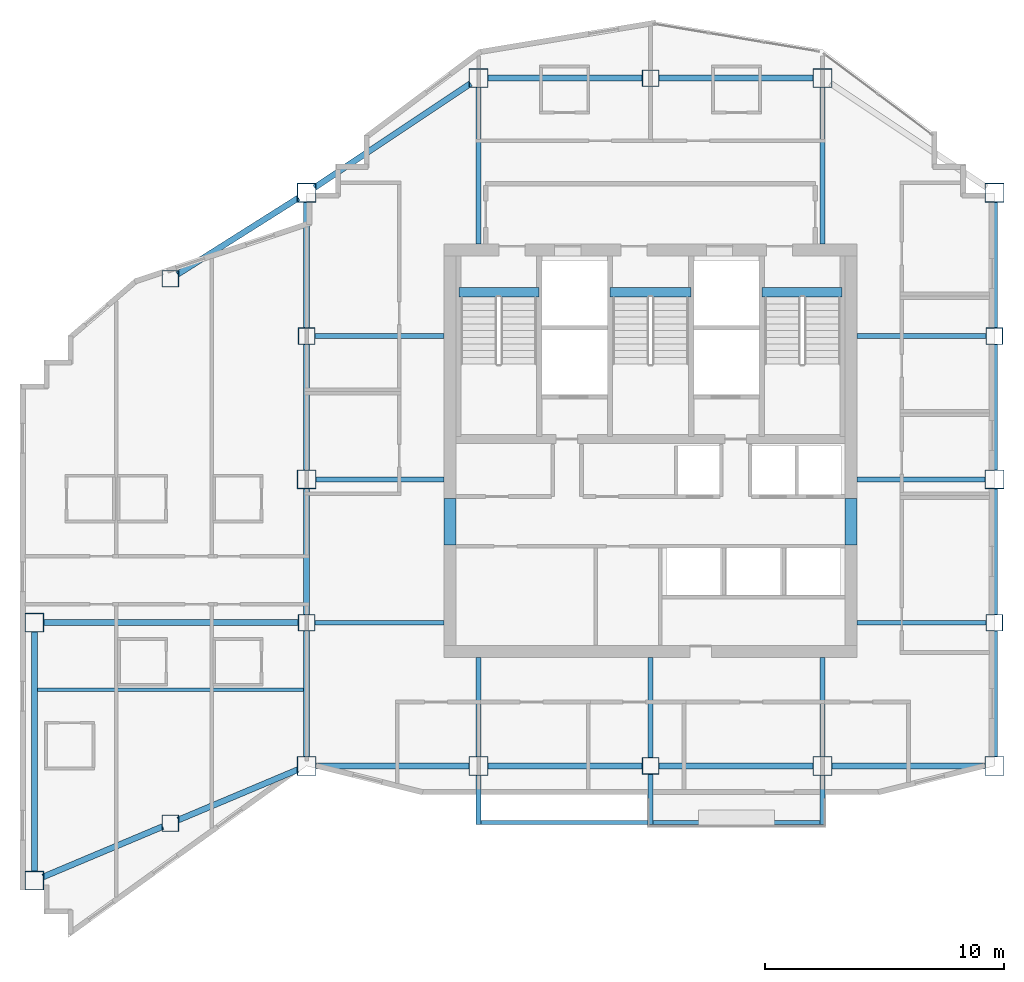
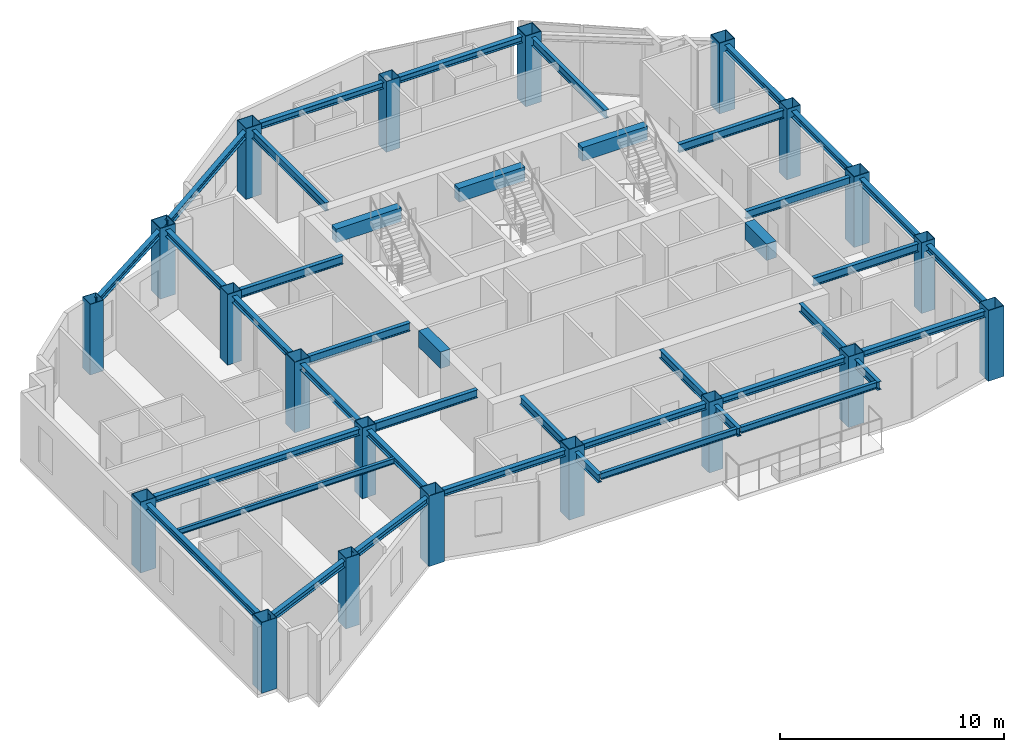
# One storey, part 1 of 10: 42 beams, 20 columns.
"""IFC4 building model written with IfcOpenShell, lengths in metres."""

from ifc_helpers import new_model, si_unit, direction, frame, origin, origin_2d, place, context, subcontext, project, spatial, rectangle, hollow_rectangle, i_section, extrude, material, material_profile, profile_set, type_object, element, save


model = new_model("IFC4")

# Units and contexts
model_context = context("Model", 3, precision=1e-05, world=origin(), true_north=direction((0.0, 1.0)))
body_context = subcontext(model_context, "Body", "Model", "MODEL_VIEW")
ifc_project = project(units=[si_unit("LENGTHUNIT", "METRE"), si_unit("AREAUNIT", "SQUARE_METRE"), si_unit("VOLUMEUNIT", "CUBIC_METRE"), si_unit("PLANEANGLEUNIT", "RADIAN"), si_unit("MASSUNIT", "GRAM", prefix="KILO")], contexts=[model_context])

# Site, building, storey
site_placement = place(None, origin())
site = spatial("IfcSite", under=ifc_project, at=site_placement, CompositionType="ELEMENT")
building_placement = place(site_placement, origin())
building = spatial("IfcBuilding", under=site, at=building_placement, Name="Haolan Belvedere Tower", CompositionType="ELEMENT")
storey_placement = place(building_placement, frame((0.0, 0.0, 258.300048828125)))
storey = spatial("IfcBuildingStorey", under=building, at=storey_placement, Name="L65", CompositionType="ELEMENT", Elevation=258.300048828125)

# Columns
ifc_material_1 = material(Name="Steel Q390GJC", Category="steel")
ifc_material_profile_1 = material_profile(ifc_material_1, hollow_rectangle(XDim=0.699951171875, YDim=0.699951171875, WallThickness=0.02587890625, at=origin_2d()), Name="Steel Q390GJC")
ifc_profile_set_1 = profile_set([ifc_material_profile_1], Name="Steel Q390GJC")
column_type_1 = type_object("IfcColumnType", Name="COL-BOX700x700x26", PredefinedType="COLUMN", material=ifc_profile_set_1)
for number, where, z_axis, x_axis, name in (
    (1, (24.0, 27.60009765625, 0.0), (0.0, 0.0, 1.0), (1.0, 0.0, 0.0), "L65 column TC-T3-W1 (BOX700x700x26)"),
    (2, (24.0, 39.60009765625, 0.0), (0.0, 0.0, 1.0), (1.0, 0.0, 0.0), "L65 column TC-T3-W2 (BOX700x700x26)"),
    (3, (52.800048828125, 27.60009765625, 0.0), (0.0, 0.0, 1.0), (1.0, 0.0, 0.0), "L65 column TC-T3-E1 (BOX700x700x26)"),
    (4, (52.800048828125, 39.60009765625, 0.0), (0.0, 0.0, 1.0), (1.0, 0.0, 0.0), "L65 column TC-T3-E2 (BOX700x700x26)"),
    (5, (38.39990234375, 21.60009765625, 0.0), (0.0, 0.0, 1.0), (1.0, 0.0, 0.0), "L65 column TC-T3-SM (BOX700x700x26)"),
    (6, (38.39990234375, 50.39990234375, 0.0), (0.0, 0.0, 1.0), (1.0, 0.0, 0.0), "L65 column TC-T3-NM (BOX700x700x26)"),
    (7, (18.300048828125, 19.199951171875, 0.0), (0.0, 0.0, 1.0), (1.0, 0.0, 0.0), "L65 column TC-T2-S1 (BOX700x700x26)"),
    (8, (18.300048828125, 42.0, 0.0), (0.0, 0.0, 1.0), (1.0, 0.0, 0.0), "L65 column TC-T2-N1 (BOX700x700x26)"),
):
    element("IfcColumn", number, at=place(storey_placement, frame(where, z_axis=z_axis, x_axis=x_axis)), inside=storey, type_object=column_type_1, Name=name, PredefinedType="COLUMN", context=body_context, shape_type="SweptSolid", body=[
        extrude(hollow_rectangle(XDim=0.699951171875, YDim=0.699951171875, WallThickness=0.02587890625, at=origin_2d()), origin(), (0.0, 0.0, 1.0), 3.849853515625),
    ])
ifc_material_profile_2 = material_profile(ifc_material_1, hollow_rectangle(XDim=0.800048828125, YDim=0.800048828125, WallThickness=0.030029296875, at=origin_2d()), Name="Steel Q390GJC")
ifc_profile_set_2 = profile_set([ifc_material_profile_2], Name="Steel Q390GJC")
column_type_2 = type_object("IfcColumnType", Name="COL-BOX800x800x30", PredefinedType="COLUMN", material=ifc_profile_set_2)
for number, where, z_axis, x_axis, name in (
    (9, (24.0, 21.60009765625, 0.0), (0.0, 0.0, 1.0), (1.0, 0.0, 0.0), "L65 column MC-T3-SW (BOX800x800x30)"),
    (10, (24.0, 33.60009765625, 0.0), (0.0, 0.0, 1.0), (1.0, 0.0, 0.0), "L65 column MC-T3-MW (BOX800x800x30)"),
    (11, (24.0, 45.60009765625, 0.0), (0.0, 0.0, 1.0), (1.0, 0.0, 0.0), "L65 column MC-T3-NW (BOX800x800x30)"),
    (12, (52.800048828125, 21.60009765625, 0.0), (0.0, 0.0, 1.0), (1.0, 0.0, 0.0), "L65 column MC-T3-SE (BOX800x800x30)"),
    (13, (52.800048828125, 33.60009765625, 0.0), (0.0, 0.0, 1.0), (1.0, 0.0, 0.0), "L65 column MC-T3-ME (BOX800x800x30)"),
    (14, (52.800048828125, 45.60009765625, 0.0), (0.0, 0.0, 1.0), (1.0, 0.0, 0.0), "L65 column MC-T3-NE (BOX800x800x30)"),
    (15, (31.199951171875, 21.60009765625, 0.0), (0.0, 0.0, 1.0), (1.0, 0.0, 0.0), "L65 column MC-T3-S1 (BOX800x800x30)"),
    (16, (45.60009765625, 21.60009765625, 0.0), (0.0, 0.0, 1.0), (1.0, 0.0, 0.0), "L65 column MC-T3-S2 (BOX800x800x30)"),
    (17, (31.199951171875, 50.39990234375, 0.0), (0.0, 0.0, 1.0), (1.0, 0.0, 0.0), "L65 column MC-T3-N1 (BOX800x800x30)"),
    (18, (45.60009765625, 50.39990234375, 0.0), (0.0, 0.0, 1.0), (1.0, 0.0, 0.0), "L65 column MC-T3-N2 (BOX800x800x30)"),
    (19, (12.60009765625, 16.800048828125, 0.0), (0.0, 0.0, 1.0), (1.0, 0.0, 0.0), "L65 column MC-T2-SW (BOX800x800x30)"),
    (20, (12.60009765625, 27.60009765625, 0.0), (0.0, 0.0, 1.0), (1.0, 0.0, 0.0), "L65 column MC-T2-MW (BOX800x800x30)"),
):
    element("IfcColumn", number, at=place(storey_placement, frame(where, z_axis=z_axis, x_axis=x_axis)), inside=storey, type_object=column_type_2, Name=name, PredefinedType="COLUMN", context=body_context, shape_type="SweptSolid", body=[
        extrude(hollow_rectangle(XDim=0.800048828125, YDim=0.800048828125, WallThickness=0.030029296875, at=origin_2d()), origin(), (0.0, 0.0, 1.0), 3.849853515625),
    ])

# Beams
ifc_material_2 = material(Name="Steel Q355B", Category="steel")
ifc_material_profile_3 = material_profile(ifc_material_2, i_section(OverallWidth=0.25, OverallDepth=0.340087890625, WebThickness=0.009033203125, FlangeThickness=0.013916015625, FilletRadius=0.02001953125, at=origin_2d()), Name="Steel Q355B")
ifc_profile_set_3 = profile_set([ifc_material_profile_3], Name="Steel Q355B")
beam_type_1 = type_object("IfcBeamType", Name="BM-HM340x250x9x14", PredefinedType="SPANDREL", material=ifc_profile_set_3)
for number, where, z_axis, x_axis, name in (
    (21, (24.0, 22.0, 3.5), (0.0, 1.0, 0.0), (-1.0, 0.0, 0.0), "L65 spandrel girder MC-T3-SW-TC-T3-W1"),
    (22, (24.0, 27.949951171875, 3.5), (0.0, 1.0, 0.0), (-1.0, 0.0, 0.0), "L65 spandrel girder TC-T3-W1-MC-T3-MW"),
    (23, (24.0, 34.0, 3.5), (0.0, 1.0, 0.0), (-1.0, 0.0, 0.0), "L65 spandrel girder MC-T3-MW-TC-T3-W2"),
    (24, (24.0, 39.949951171875, 3.5), (0.0, 1.0, 0.0), (-1.0, 0.0, 0.0), "L65 spandrel girder TC-T3-W2-MC-T3-NW"),
    (25, (52.800048828125, 22.0, 3.5), (0.0, 1.0, 0.0), (-1.0, 0.0, 0.0), "L65 spandrel girder MC-T3-SE-TC-T3-E1"),
    (26, (52.800048828125, 27.949951171875, 3.5), (0.0, 1.0, 0.0), (-1.0, 0.0, 0.0), "L65 spandrel girder TC-T3-E1-MC-T3-ME"),
    (27, (52.800048828125, 34.0, 3.5), (0.0, 1.0, 0.0), (-1.0, 0.0, 0.0), "L65 spandrel girder MC-T3-ME-TC-T3-E2"),
    (28, (52.800048828125, 39.949951171875, 3.5), (0.0, 1.0, 0.0), (-1.0, 0.0, 0.0), "L65 spandrel girder TC-T3-E2-MC-T3-NE"),
):
    element("IfcBeam", number, at=place(storey_placement, frame(where, z_axis=z_axis, x_axis=x_axis)), inside=storey, type_object=beam_type_1, Name=name, PredefinedType="SPANDREL", context=body_context, shape_type="SweptSolid", body=[
        extrude(i_section(OverallWidth=0.25, OverallDepth=0.340087890625, WebThickness=0.009033203125, FlangeThickness=0.013916015625, FilletRadius=0.02001953125, at=origin_2d()), origin(), (0.0, 0.0, 1.0), 5.25),
    ])
beam_1_placement = place(storey_placement, frame((24.39990234375, 21.60009765625, 3.5), z_axis=(1.0, 0.0, 0.0), x_axis=(0.0, 1.0, 0.0)))
element("IfcBeam", 29, at=beam_1_placement, inside=storey, type_object=beam_type_1, Name="L65 spandrel girder MC-T3-SW-MC-T3-S1", PredefinedType="SPANDREL", context=body_context, shape_type="SweptSolid", body=[
    extrude(i_section(OverallWidth=0.25, OverallDepth=0.340087890625, WebThickness=0.009033203125, FlangeThickness=0.013916015625, FilletRadius=0.02001953125, at=origin_2d()), origin(), (0.0, 0.0, 1.0), 6.400146484375),
])
for number, where, z_axis, x_axis, name in (
    (30, (31.60009765625, 21.60009765625, 3.5), (1.0, 0.0, 0.0), (0.0, 1.0, 0.0), "L65 spandrel girder MC-T3-S1-TC-T3-SM"),
    (31, (38.75, 21.60009765625, 3.5), (1.0, 0.0, 0.0), (0.0, 1.0, 0.0), "L65 spandrel girder TC-T3-SM-MC-T3-S2"),
):
    element("IfcBeam", number, at=place(storey_placement, frame(where, z_axis=z_axis, x_axis=x_axis)), inside=storey, type_object=beam_type_1, Name=name, PredefinedType="SPANDREL", context=body_context, shape_type="SweptSolid", body=[
        extrude(i_section(OverallWidth=0.25, OverallDepth=0.340087890625, WebThickness=0.009033203125, FlangeThickness=0.013916015625, FilletRadius=0.02001953125, at=origin_2d()), origin(), (0.0, 0.0, 1.0), 6.449951171875),
    ])
beam_2_placement = place(storey_placement, frame((46.0, 21.60009765625, 3.5), z_axis=(1.0, 0.0, 0.0), x_axis=(0.0, 1.0, 0.0)))
element("IfcBeam", 32, at=beam_2_placement, inside=storey, type_object=beam_type_1, Name="L65 spandrel girder MC-T3-S2-MC-T3-SE", PredefinedType="SPANDREL", context=body_context, shape_type="SweptSolid", body=[
    extrude(i_section(OverallWidth=0.25, OverallDepth=0.340087890625, WebThickness=0.009033203125, FlangeThickness=0.013916015625, FilletRadius=0.02001953125, at=origin_2d()), origin(), (0.0, 0.0, 1.0), 6.39990234375),
])
beam_3_placement = place(storey_placement, frame((24.332763671875, 45.82177734375, 3.5), z_axis=(0.832040729016, 0.55471454394, 0.0), x_axis=(-0.55471454394, 0.832040729016, 0.0)))
element("IfcBeam", 33, at=beam_3_placement, inside=storey, type_object=beam_type_1, Name="L65 spandrel girder MC-T3-NW-MC-T3-N1", PredefinedType="SPANDREL", context=body_context, shape_type="SweptSolid", body=[
    extrude(i_section(OverallWidth=0.25, OverallDepth=0.340087890625, WebThickness=0.009033203125, FlangeThickness=0.013916015625, FilletRadius=0.02001953125, at=origin_2d()), origin(), (0.0, 0.0, 1.0), 7.853515625),
])
for number, where, z_axis, x_axis, name in (
    (34, (31.60009765625, 50.39990234375, 3.5), (1.0, 0.0, 0.0), (0.0, 1.0, 0.0), "L65 spandrel girder MC-T3-N1-TC-T3-NM"),
    (35, (38.75, 50.39990234375, 3.5), (1.0, 0.0, 0.0), (0.0, 1.0, 0.0), "L65 spandrel girder TC-T3-NM-MC-T3-N2"),
):
    element("IfcBeam", number, at=place(storey_placement, frame(where, z_axis=z_axis, x_axis=x_axis)), inside=storey, type_object=beam_type_1, Name=name, PredefinedType="SPANDREL", context=body_context, shape_type="SweptSolid", body=[
        extrude(i_section(OverallWidth=0.25, OverallDepth=0.340087890625, WebThickness=0.009033203125, FlangeThickness=0.013916015625, FilletRadius=0.02001953125, at=origin_2d()), origin(), (0.0, 0.0, 1.0), 6.449951171875),
    ])
beam_4_placement = place(storey_placement, frame((12.60009765625, 17.199951171875, 3.5), z_axis=(0.0, 1.0, 0.0), x_axis=(-1.0, 0.0, 0.0)))
element("IfcBeam", 36, at=beam_4_placement, inside=storey, type_object=beam_type_1, Name="L65 spandrel girder MC-T2-SW-MC-T2-MW", PredefinedType="SPANDREL", context=body_context, shape_type="SweptSolid", body=[
    extrude(i_section(OverallWidth=0.25, OverallDepth=0.340087890625, WebThickness=0.009033203125, FlangeThickness=0.013916015625, FilletRadius=0.02001953125, at=origin_2d()), origin(), (0.0, 0.0, 1.0), 10.0),
])
for number, where, z_axis, x_axis, name in (
    (37, (12.96875, 16.955322265625, 3.5), (0.921640448717, 0.388044950088, 0.0), (-0.388044950088, 0.921640448717, 0.0), "L65 spandrel girder MC-T2-SW-TC-T2-S1"),
    (38, (18.62255859375, 19.3359375, 3.5), (0.921640448717, 0.388044950088, 0.0), (-0.388044950088, 0.921640448717, 0.0), "L65 spandrel girder TC-T2-S1-MC-T3-SW"),
):
    element("IfcBeam", number, at=place(storey_placement, frame(where, z_axis=z_axis, x_axis=x_axis)), inside=storey, type_object=beam_type_1, Name=name, PredefinedType="SPANDREL", context=body_context, shape_type="SweptSolid", body=[
        extrude(i_section(OverallWidth=0.25, OverallDepth=0.340087890625, WebThickness=0.009033203125, FlangeThickness=0.013916015625, FilletRadius=0.02001953125, at=origin_2d()), origin(), (0.0, 0.0, 1.0), 5.4345703125),
    ])
beam_5_placement = place(storey_placement, frame((18.595947265625, 42.18701171875, 3.5), z_axis=(0.845493744187, 0.533985326148, 0.0), x_axis=(-0.533985326148, 0.845493744187, 0.0)))
element("IfcBeam", 39, at=beam_5_placement, inside=storey, type_object=beam_type_1, Name="L65 spandrel girder TC-T2-N1-MC-T3-NW", PredefinedType="SPANDREL", context=body_context, shape_type="SweptSolid", body=[
    extrude(i_section(OverallWidth=0.25, OverallDepth=0.340087890625, WebThickness=0.009033203125, FlangeThickness=0.013916015625, FilletRadius=0.02001953125, at=origin_2d()), origin(), (0.0, 0.0, 1.0), 5.99169921875),
])
beam_6_placement = place(storey_placement, frame((13.0, 27.60009765625, 3.5), z_axis=(1.0, 0.0, 0.0), x_axis=(0.0, 1.0, 0.0)))
element("IfcBeam", 40, at=beam_6_placement, inside=storey, type_object=beam_type_1, Name="L65 spandrel girder MC-T2-MW-TC-T3-W1", PredefinedType="SPANDREL", context=body_context, shape_type="SweptSolid", body=[
    extrude(i_section(OverallWidth=0.25, OverallDepth=0.340087890625, WebThickness=0.009033203125, FlangeThickness=0.013916015625, FilletRadius=0.02001953125, at=origin_2d()), origin(), (0.0, 0.0, 1.0), 10.64990234375),
])
ifc_material_profile_4 = material_profile(ifc_material_2, i_section(OverallWidth=0.14990234375, OverallDepth=0.300048828125, WebThickness=0.006591796875, FlangeThickness=0.009033203125, FilletRadius=0.012939453125, at=origin_2d()), Name="Steel Q355B")
ifc_profile_set_4 = profile_set([ifc_material_profile_4], Name="Steel Q355B")
beam_type_2 = type_object("IfcBeamType", Name="BM-HN300x150x6.5x9", PredefinedType="JOIST", material=ifc_profile_set_4)
beam_7_placement = place(storey_placement, frame((12.72509765625, 24.800048828125, 3.52001953125), z_axis=(1.0, 0.0, 0.0), x_axis=(0.0, 1.0, 0.0)))
element("IfcBeam", 41, at=beam_7_placement, inside=storey, type_object=beam_type_2, Name="L65 west wing floor joist 1", PredefinedType="JOIST", context=body_context, shape_type="SweptSolid", body=[
    extrude(i_section(OverallWidth=0.14990234375, OverallDepth=0.300048828125, WebThickness=0.006591796875, FlangeThickness=0.009033203125, FilletRadius=0.012939453125, at=origin_2d()), origin(), (0.0, 0.0, 1.0), 11.14990234375),
])
ifc_material_profile_5 = material_profile(ifc_material_2, i_section(OverallWidth=0.175048828125, OverallDepth=0.35009765625, WebThickness=0.007080078125, FlangeThickness=0.010986328125, FilletRadius=0.012939453125, at=origin_2d()), Name="Steel Q355B")
ifc_profile_set_5 = profile_set([ifc_material_profile_5], Name="Steel Q355B")
beam_type_3 = type_object("IfcBeamType", Name="BM-HN350x175x7x11", PredefinedType="JOIST", material=ifc_profile_set_5)
for number, where, z_axis, x_axis, name in (
    (42, (31.300048828125, 19.239990234375, 3.445068359375), (1.0, 0.0, 0.0), (0.0, 1.0, 0.0), "L66 tree-balcony front trimmer beam 1"),
    (43, (38.5, 19.239990234375, 3.445068359375), (1.0, 0.0, 0.0), (0.0, 1.0, 0.0), "L66 tree-balcony front trimmer beam 2"),
):
    element("IfcBeam", number, at=place(storey_placement, frame(where, z_axis=z_axis, x_axis=x_axis)), inside=storey, type_object=beam_type_3, Name=name, PredefinedType="BEAM", context=body_context, shape_type="SweptSolid", body=[
        extrude(i_section(OverallWidth=0.175048828125, OverallDepth=0.35009765625, WebThickness=0.007080078125, FlangeThickness=0.010986328125, FilletRadius=0.012939453125, at=origin_2d()), origin(), (0.0, 0.0, 1.0), 7.0),
    ])
ifc_material_profile_6 = material_profile(ifc_material_2, i_section(OverallWidth=0.199951171875, OverallDepth=0.449951171875, WebThickness=0.009033203125, FlangeThickness=0.013916015625, FilletRadius=0.01611328125, at=origin_2d()), Name="Steel Q355B")
ifc_profile_set_6 = profile_set([ifc_material_profile_6], Name="Steel Q355B")
beam_type_4 = type_object("IfcBeamType", Name="BM-HN450x200x9x14", PredefinedType="BEAM", material=ifc_profile_set_6)
beam_8_placement = place(storey_placement, frame((24.39990234375, 33.60009765625, 3.445068359375), z_axis=(1.0, 0.0, 0.0), x_axis=(0.0, 1.0, 0.0)))
element("IfcBeam", 44, at=beam_8_placement, inside=storey, type_object=beam_type_4, Name="L65 core tie beam from MC-T3-MW", PredefinedType="BEAM", context=body_context, shape_type="SweptSolid", body=[
    extrude(i_section(OverallWidth=0.199951171875, OverallDepth=0.449951171875, WebThickness=0.009033203125, FlangeThickness=0.013916015625, FilletRadius=0.01611328125, at=origin_2d()), origin(), (0.0, 0.0, 1.0), 5.35009765625),
])
for number, where, z_axis, x_axis, name in (
    (45, (24.35009765625, 27.60009765625, 3.445068359375), (1.0, 0.0, 0.0), (0.0, 1.0, 0.0), "L65 core tie beam from TC-T3-W1"),
    (46, (24.35009765625, 39.60009765625, 3.445068359375), (1.0, 0.0, 0.0), (0.0, 1.0, 0.0), "L65 core tie beam from TC-T3-W2"),
):
    element("IfcBeam", number, at=place(storey_placement, frame(where, z_axis=z_axis, x_axis=x_axis)), inside=storey, type_object=beam_type_4, Name=name, PredefinedType="BEAM", context=body_context, shape_type="SweptSolid", body=[
        extrude(i_section(OverallWidth=0.199951171875, OverallDepth=0.449951171875, WebThickness=0.009033203125, FlangeThickness=0.013916015625, FilletRadius=0.01611328125, at=origin_2d()), origin(), (0.0, 0.0, 1.0), 5.39990234375),
    ])
beam_9_placement = place(storey_placement, frame((52.39990234375, 33.60009765625, 3.445068359375), z_axis=(-1.0, 0.0, 0.0), x_axis=(0.0, -1.0, 0.0)))
element("IfcBeam", 47, at=beam_9_placement, inside=storey, type_object=beam_type_4, Name="L65 core tie beam from MC-T3-ME", PredefinedType="BEAM", context=body_context, shape_type="SweptSolid", body=[
    extrude(i_section(OverallWidth=0.199951171875, OverallDepth=0.449951171875, WebThickness=0.009033203125, FlangeThickness=0.013916015625, FilletRadius=0.01611328125, at=origin_2d()), origin(), (0.0, 0.0, 1.0), 5.349853515625),
])
for number, where, z_axis, x_axis, name in (
    (48, (52.449951171875, 27.60009765625, 3.445068359375), (-1.0, 0.0, 0.0), (0.0, -1.0, 0.0), "L65 core tie beam from TC-T3-E1"),
    (49, (52.449951171875, 39.60009765625, 3.445068359375), (-1.0, 0.0, 0.0), (0.0, -1.0, 0.0), "L65 core tie beam from TC-T3-E2"),
):
    element("IfcBeam", number, at=place(storey_placement, frame(where, z_axis=z_axis, x_axis=x_axis)), inside=storey, type_object=beam_type_4, Name=name, PredefinedType="BEAM", context=body_context, shape_type="SweptSolid", body=[
        extrude(i_section(OverallWidth=0.199951171875, OverallDepth=0.449951171875, WebThickness=0.009033203125, FlangeThickness=0.013916015625, FilletRadius=0.01611328125, at=origin_2d()), origin(), (0.0, 0.0, 1.0), 5.39990234375),
    ])
beam_10_placement = place(storey_placement, frame((31.199951171875, 22.0, 3.445068359375), z_axis=(0.0, 1.0, 0.0), x_axis=(-1.0, 0.0, 0.0)))
element("IfcBeam", 50, at=beam_10_placement, inside=storey, type_object=beam_type_4, Name="L65 core tie beam from MC-T3-S1", PredefinedType="BEAM", context=body_context, shape_type="SweptSolid", body=[
    extrude(i_section(OverallWidth=0.199951171875, OverallDepth=0.449951171875, WebThickness=0.009033203125, FlangeThickness=0.013916015625, FilletRadius=0.01611328125, at=origin_2d()), origin(), (0.0, 0.0, 1.0), 4.14990234375),
])
beam_11_placement = place(storey_placement, frame((38.39990234375, 21.949951171875, 3.445068359375), z_axis=(0.0, 1.0, 0.0), x_axis=(-1.0, 0.0, 0.0)))
element("IfcBeam", 51, at=beam_11_placement, inside=storey, type_object=beam_type_4, Name="L65 core tie beam from TC-T3-SM", PredefinedType="BEAM", context=body_context, shape_type="SweptSolid", body=[
    extrude(i_section(OverallWidth=0.199951171875, OverallDepth=0.449951171875, WebThickness=0.009033203125, FlangeThickness=0.013916015625, FilletRadius=0.01611328125, at=origin_2d()), origin(), (0.0, 0.0, 1.0), 4.199951171875),
])
beam_12_placement = place(storey_placement, frame((45.60009765625, 22.0, 3.445068359375), z_axis=(0.0, 1.0, 0.0), x_axis=(-1.0, 0.0, 0.0)))
element("IfcBeam", 52, at=beam_12_placement, inside=storey, type_object=beam_type_4, Name="L65 core tie beam from MC-T3-S2", PredefinedType="BEAM", context=body_context, shape_type="SweptSolid", body=[
    extrude(i_section(OverallWidth=0.199951171875, OverallDepth=0.449951171875, WebThickness=0.009033203125, FlangeThickness=0.013916015625, FilletRadius=0.01611328125, at=origin_2d()), origin(), (0.0, 0.0, 1.0), 4.14990234375),
])
for number, where, z_axis, x_axis, name in (
    (53, (31.199951171875, 50.0, 3.445068359375), (0.0, -1.0, 0.0), (1.0, 0.0, 0.0), "L65 core tie beam from MC-T3-N1"),
    (54, (45.60009765625, 50.0, 3.445068359375), (0.0, -1.0, 0.0), (1.0, 0.0, 0.0), "L65 core tie beam from MC-T3-N2"),
):
    element("IfcBeam", number, at=place(storey_placement, frame(where, z_axis=z_axis, x_axis=x_axis)), inside=storey, type_object=beam_type_4, Name=name, PredefinedType="BEAM", context=body_context, shape_type="SweptSolid", body=[
        extrude(i_section(OverallWidth=0.199951171875, OverallDepth=0.449951171875, WebThickness=0.009033203125, FlangeThickness=0.013916015625, FilletRadius=0.01611328125, at=origin_2d()), origin(), (0.0, 0.0, 1.0), 6.550048828125),
    ])
beam_13_placement = place(storey_placement, frame((31.199951171875, 21.199951171875, 3.39501953125), z_axis=(0.0, -1.0, 0.0), x_axis=(1.0, 0.0, 0.0)))
element("IfcBeam", 55, at=beam_13_placement, inside=storey, type_object=beam_type_4, Name="L66 tree-balcony column cantilever MC-T3-S1", PredefinedType="BEAM", context=body_context, shape_type="SweptSolid", body=[
    extrude(i_section(OverallWidth=0.199951171875, OverallDepth=0.449951171875, WebThickness=0.009033203125, FlangeThickness=0.013916015625, FilletRadius=0.01611328125, at=origin_2d()), origin(), (0.0, 0.0, 1.0), 2.06005859375),
])
beam_14_placement = place(storey_placement, frame((38.39990234375, 21.25, 3.39501953125), z_axis=(0.0, -1.0, 0.0), x_axis=(1.0, 0.0, 0.0)))
element("IfcBeam", 56, at=beam_14_placement, inside=storey, type_object=beam_type_4, Name="L66 tree-balcony column cantilever TC-T3-SM", PredefinedType="BEAM", context=body_context, shape_type="SweptSolid", body=[
    extrude(i_section(OverallWidth=0.199951171875, OverallDepth=0.449951171875, WebThickness=0.009033203125, FlangeThickness=0.013916015625, FilletRadius=0.01611328125, at=origin_2d()), origin(), (0.0, 0.0, 1.0), 2.110107421875),
])
beam_15_placement = place(storey_placement, frame((45.60009765625, 21.199951171875, 3.39501953125), z_axis=(0.0, -1.0, 0.0), x_axis=(1.0, 0.0, 0.0)))
element("IfcBeam", 57, at=beam_15_placement, inside=storey, type_object=beam_type_4, Name="L66 tree-balcony column cantilever MC-T3-S2", PredefinedType="BEAM", context=body_context, shape_type="SweptSolid", body=[
    extrude(i_section(OverallWidth=0.199951171875, OverallDepth=0.449951171875, WebThickness=0.009033203125, FlangeThickness=0.013916015625, FilletRadius=0.01611328125, at=origin_2d()), origin(), (0.0, 0.0, 1.0), 2.06005859375),
])
ifc_material_3 = material(Name="Concrete C50/60", Category="concrete")
ifc_material_profile_7 = material_profile(ifc_material_3, rectangle(XDim=0.39990234375, YDim=0.75, at=origin_2d()), Name="Concrete C50/60")
ifc_profile_set_7 = profile_set([ifc_material_profile_7], Name="Concrete C50/60")
beam_type_5 = type_object("IfcBeamType", Name="BM-RC400x750", PredefinedType="T_BEAM", material=ifc_profile_set_7)
beam_16_placement = place(storey_placement, frame((30.3798828125, 41.429931640625, 3.474853515625), z_axis=(1.0, 0.0, 0.0), x_axis=(0.0, 1.0, 0.0)))
element("IfcBeam", 58, at=beam_16_placement, inside=storey, type_object=beam_type_5, Name="L66 stair ST1 RC header trimmer beam", PredefinedType="BEAM", context=body_context, shape_type="SweptSolid", body=[
    extrude(rectangle(XDim=0.39990234375, YDim=0.75, at=origin_2d()), origin(), (0.0, 0.0, 1.0), 3.360107421875),
])
beam_17_placement = place(storey_placement, frame((36.699951171875, 41.429931640625, 3.474853515625), z_axis=(1.0, 0.0, 0.0), x_axis=(0.0, 1.0, 0.0)))
element("IfcBeam", 59, at=beam_17_placement, inside=storey, type_object=beam_type_5, Name="L66 stair ST3 RC header trimmer beam", PredefinedType="BEAM", context=body_context, shape_type="SweptSolid", body=[
    extrude(rectangle(XDim=0.39990234375, YDim=0.75, at=origin_2d()), origin(), (0.0, 0.0, 1.0), 3.400146484375),
])
beam_18_placement = place(storey_placement, frame((43.06005859375, 41.429931640625, 3.474853515625), z_axis=(1.0, 0.0, 0.0), x_axis=(0.0, 1.0, 0.0)))
element("IfcBeam", 60, at=beam_18_placement, inside=storey, type_object=beam_type_5, Name="L66 stair ST2 RC header trimmer beam", PredefinedType="BEAM", context=body_context, shape_type="SweptSolid", body=[
    extrude(rectangle(XDim=0.39990234375, YDim=0.75, at=origin_2d()), origin(), (0.0, 0.0, 1.0), 3.35986328125),
])
ifc_material_4 = material(Name="Concrete C60/75", Category="concrete")
ifc_material_profile_8 = material_profile(ifc_material_4, rectangle(XDim=0.5, YDim=0.89990234375, at=origin_2d()), Name="Concrete C60/75")
ifc_profile_set_8 = profile_set([ifc_material_profile_8], Name="Concrete C60/75")
beam_type_6 = type_object("IfcBeamType", Name="BM-RC500x900", PredefinedType="LINTEL", material=ifc_profile_set_8)
for number, where, z_axis, x_axis, name in (
    (61, (30.0, 30.85009765625, 3.219970703125), (0.0, 1.0, 0.0), (-1.0, 0.0, 0.0), "L65 west core coupling beam CB-01"),
    (62, (46.800048828125, 30.85009765625, 3.219970703125), (0.0, 1.0, 0.0), (-1.0, 0.0, 0.0), "L65 east core coupling beam CB-01"),
):
    element("IfcBeam", number, at=place(storey_placement, frame(where, z_axis=z_axis, x_axis=x_axis)), inside=storey, type_object=beam_type_6, Name=name, PredefinedType="LINTEL", context=body_context, shape_type="SweptSolid", body=[
        extrude(rectangle(XDim=0.5, YDim=0.89990234375, at=origin_2d()), origin(), (0.0, 0.0, 1.0), 1.949951171875),
    ])

save(model, "model.ifc")
